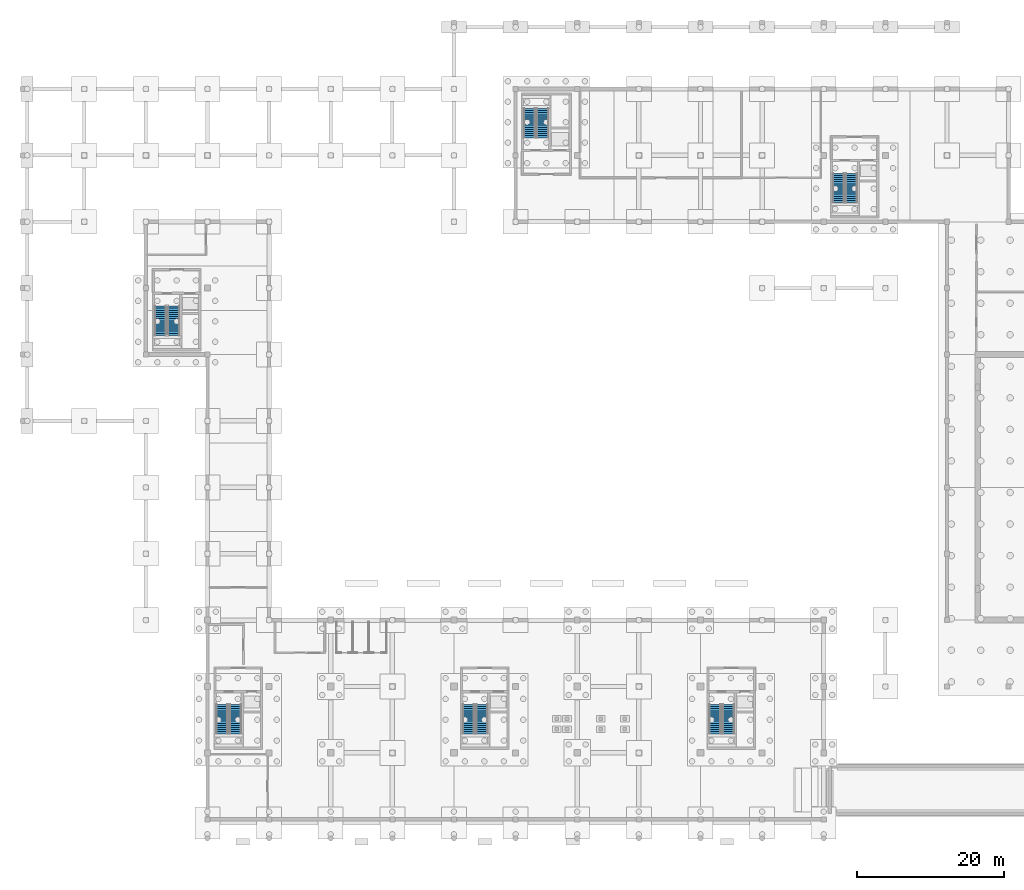
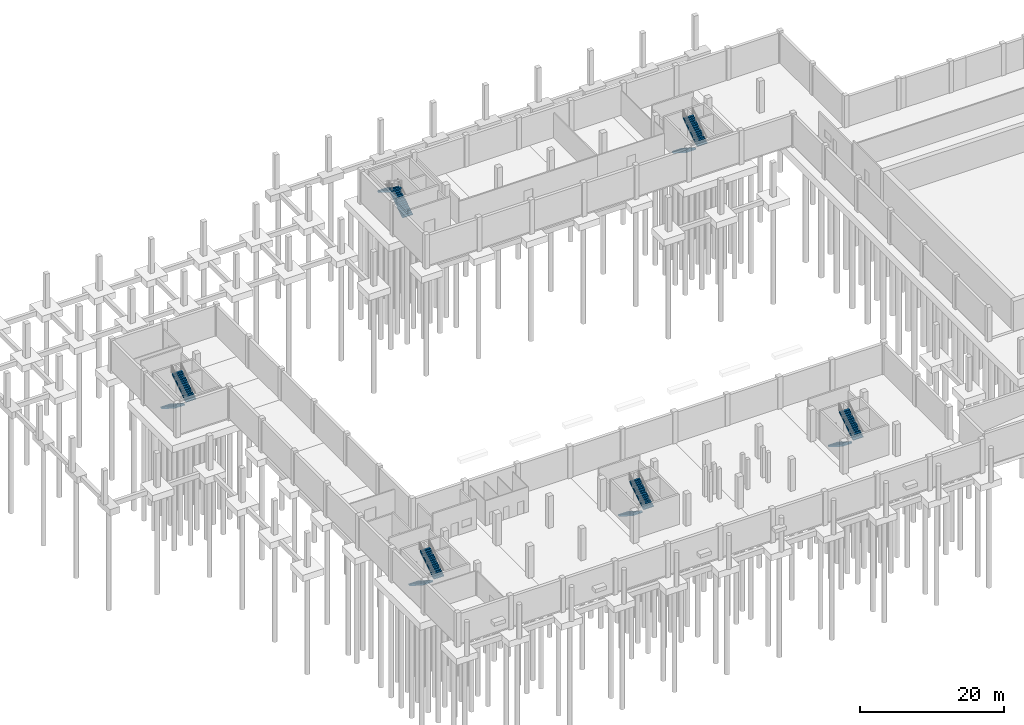
# One storey, part 13 of 18: 12 stair flights, 6 elements without a shape of their own.
"""IFC4 building model written with IfcOpenShell, lengths in metres."""

from ifc_helpers import new_model, si_unit, direction, frame, origin, place, context, subcontext, project, spatial, polyline, outline, extrude, material, type_object, element, aggregate, save


model = new_model("IFC4")

# Units and contexts
model_context = context("Model", 3, precision=1e-05, world=origin(), true_north=direction((0.0, 1.0)))
body_context = subcontext(model_context, "Body", "Model", "MODEL_VIEW")
ifc_project = project(units=[si_unit("LENGTHUNIT", "METRE"), si_unit("AREAUNIT", "SQUARE_METRE"), si_unit("VOLUMEUNIT", "CUBIC_METRE"), si_unit("PLANEANGLEUNIT", "RADIAN"), si_unit("MASSUNIT", "GRAM", prefix="KILO")], contexts=[model_context])

# Site, building, storey
site_placement = place(None, origin())
site = spatial("IfcSite", under=ifc_project, at=site_placement, CompositionType="ELEMENT")
building_placement = place(site_placement, origin())
building = spatial("IfcBuilding", under=site, at=building_placement, Name="Khurvash Pelagic Aquarium", CompositionType="ELEMENT")
storey_placement = place(building_placement, frame((0.0, 0.0, -5.39990234375)))
storey = spatial("IfcBuildingStorey", under=building, at=storey_placement, Name="B1", CompositionType="ELEMENT", Elevation=-5.39990234375)

# Stair, stair flights
ifc_material = material(Name="Concrete C35/45", Category="concrete")
stair_type_1 = type_object("IfcStairType", Name="ST-01", PredefinedType="HALF_TURN_STAIR", material=ifc_material)
stair_1_placement = place(storey_placement, origin())
stair_1 = element("IfcStair", 1, at=stair_1_placement, inside=storey, type_object=stair_type_1, Name="B1 Protected Exit Stair ST-01", PredefinedType="HALF_TURN_STAIR")
stair_flight_type = type_object("IfcStairFlightType", Name="SF-150", PredefinedType="STRAIGHT", material=ifc_material)
stair_flight_1_placement = place(storey_placement, frame((27.199951171875, 18.25, 0.0), z_axis=(0.0, 0.0, 1.0), x_axis=(0.0, -1.0, 0.0)))
stair_flight_1 = element("IfcStairFlight", 2, at=stair_flight_1_placement, type_object=stair_flight_type, Name="ST-01 flight 1", NumberOfRisers=15, NumberOfTreads=14, PredefinedType="STRAIGHT", RiserHeight=0.18, TreadLength=0.285, context=body_context, shape_type="SweptSolid", body=[
    extrude(outline(polyline([(0.0, 0.0), (0.0, 0.179931640625), (0.284912109375, 0.179931640625), (0.284912109375, 0.360107421875), (0.570068359375, 0.360107421875), (0.570068359375, 0.5400390625), (0.85498046875, 0.5400390625), (0.85498046875, 0.719970703125), (1.139892578125, 0.719970703125), (1.139892578125, 0.89990234375), (1.425048828125, 0.89990234375), (1.425048828125, 1.080078125), (1.7099609375, 1.080078125), (1.7099609375, 1.260009765625), (1.9951171875, 1.260009765625), (1.9951171875, 1.43994140625), (2.280029296875, 1.43994140625), (2.280029296875, 1.6201171875), (2.56494140625, 1.6201171875), (2.56494140625, 1.800048828125), (2.85009765625, 1.800048828125), (2.85009765625, 1.97998046875), (3.135009765625, 1.97998046875), (3.135009765625, 2.159912109375), (3.419921875, 2.159912109375), (3.419921875, 2.340087890625), (3.705078125, 2.340087890625), (3.705078125, 2.52001953125), (3.989990234375, 2.52001953125), (3.989990234375, 2.699951171875), (3.989990234375, 2.30712890625), (0.3369140625, 0.0), (0.0, 0.0)])), frame((0.0, 0.800048828125, 0.0), z_axis=(0.0, -1.0, 0.0), x_axis=(1.0, 0.0, 0.0)), (0.0, 0.0, 1.0), 1.60009765625),
])
stair_flight_2_placement = place(storey_placement, frame((29.0, 14.260009765625, 2.699951171875), z_axis=(0.0, 0.0, 1.0), x_axis=(0.0, 1.0, 0.0)))
stair_flight_2 = element("IfcStairFlight", 3, at=stair_flight_2_placement, type_object=stair_flight_type, Name="ST-01 flight 2", NumberOfRisers=15, NumberOfTreads=14, PredefinedType="STRAIGHT", RiserHeight=0.18, TreadLength=0.285, context=body_context, shape_type="SweptSolid", body=[
    extrude(outline(polyline([(0.0, 0.0), (0.0, 0.179931640625), (0.284912109375, 0.179931640625), (0.284912109375, 0.360107421875), (0.570068359375, 0.360107421875), (0.570068359375, 0.5400390625), (0.85498046875, 0.5400390625), (0.85498046875, 0.719970703125), (1.139892578125, 0.719970703125), (1.139892578125, 0.89990234375), (1.425048828125, 0.89990234375), (1.425048828125, 1.080078125), (1.7099609375, 1.080078125), (1.7099609375, 1.260009765625), (1.9951171875, 1.260009765625), (1.9951171875, 1.43994140625), (2.280029296875, 1.43994140625), (2.280029296875, 1.6201171875), (2.56494140625, 1.6201171875), (2.56494140625, 1.800048828125), (2.85009765625, 1.800048828125), (2.85009765625, 1.97998046875), (3.135009765625, 1.97998046875), (3.135009765625, 2.159912109375), (3.419921875, 2.159912109375), (3.419921875, 2.340087890625), (3.705078125, 2.340087890625), (3.705078125, 2.52001953125), (3.989990234375, 2.52001953125), (3.989990234375, 2.699951171875), (3.989990234375, 2.30712890625), (0.3369140625, 0.0), (0.0, 0.0)])), frame((0.0, 0.800048828125, 0.0), z_axis=(0.0, -1.0, 0.0), x_axis=(1.0, 0.0, 0.0)), (0.0, 0.0, 1.0), 1.60009765625),
])
aggregate(stair_1, [stair_flight_1, stair_flight_2])

stair_type_2 = type_object("IfcStairType", Name="ST-02", PredefinedType="HALF_TURN_STAIR", material=ifc_material)
stair_2_placement = place(storey_placement, origin())
stair_2 = element("IfcStair", 4, at=stair_2_placement, inside=storey, type_object=stair_type_2, Name="B1 Protected Exit Stair ST-02", PredefinedType="HALF_TURN_STAIR")
stair_flight_3_placement = place(storey_placement, frame((60.800048828125, 18.25, 0.0), z_axis=(0.0, 0.0, 1.0), x_axis=(0.0, -1.0, 0.0)))
stair_flight_3 = element("IfcStairFlight", 5, at=stair_flight_3_placement, type_object=stair_flight_type, Name="ST-02 flight 1", NumberOfRisers=15, NumberOfTreads=14, PredefinedType="STRAIGHT", RiserHeight=0.18, TreadLength=0.285, context=body_context, shape_type="SweptSolid", body=[
    extrude(outline(polyline([(0.0, 0.0), (0.0, 0.179931640625), (0.284912109375, 0.179931640625), (0.284912109375, 0.360107421875), (0.570068359375, 0.360107421875), (0.570068359375, 0.5400390625), (0.85498046875, 0.5400390625), (0.85498046875, 0.719970703125), (1.139892578125, 0.719970703125), (1.139892578125, 0.89990234375), (1.425048828125, 0.89990234375), (1.425048828125, 1.080078125), (1.7099609375, 1.080078125), (1.7099609375, 1.260009765625), (1.9951171875, 1.260009765625), (1.9951171875, 1.43994140625), (2.280029296875, 1.43994140625), (2.280029296875, 1.6201171875), (2.56494140625, 1.6201171875), (2.56494140625, 1.800048828125), (2.85009765625, 1.800048828125), (2.85009765625, 1.97998046875), (3.135009765625, 1.97998046875), (3.135009765625, 2.159912109375), (3.419921875, 2.159912109375), (3.419921875, 2.340087890625), (3.705078125, 2.340087890625), (3.705078125, 2.52001953125), (3.989990234375, 2.52001953125), (3.989990234375, 2.699951171875), (3.989990234375, 2.30712890625), (0.3369140625, 0.0), (0.0, 0.0)])), frame((0.0, 0.800048828125, 0.0), z_axis=(0.0, -1.0, 0.0), x_axis=(1.0, 0.0, 0.0)), (0.0, 0.0, 1.0), 1.60009765625),
])
stair_flight_4_placement = place(storey_placement, frame((62.60009765625, 14.260009765625, 2.699951171875), z_axis=(0.0, 0.0, 1.0), x_axis=(0.0, 1.0, 0.0)))
stair_flight_4 = element("IfcStairFlight", 6, at=stair_flight_4_placement, type_object=stair_flight_type, Name="ST-02 flight 2", NumberOfRisers=15, NumberOfTreads=14, PredefinedType="STRAIGHT", RiserHeight=0.18, TreadLength=0.285, context=body_context, shape_type="SweptSolid", body=[
    extrude(outline(polyline([(0.0, 0.0), (0.0, 0.179931640625), (0.284912109375, 0.179931640625), (0.284912109375, 0.360107421875), (0.570068359375, 0.360107421875), (0.570068359375, 0.5400390625), (0.85498046875, 0.5400390625), (0.85498046875, 0.719970703125), (1.139892578125, 0.719970703125), (1.139892578125, 0.89990234375), (1.425048828125, 0.89990234375), (1.425048828125, 1.080078125), (1.7099609375, 1.080078125), (1.7099609375, 1.260009765625), (1.9951171875, 1.260009765625), (1.9951171875, 1.43994140625), (2.280029296875, 1.43994140625), (2.280029296875, 1.6201171875), (2.56494140625, 1.6201171875), (2.56494140625, 1.800048828125), (2.85009765625, 1.800048828125), (2.85009765625, 1.97998046875), (3.135009765625, 1.97998046875), (3.135009765625, 2.159912109375), (3.419921875, 2.159912109375), (3.419921875, 2.340087890625), (3.705078125, 2.340087890625), (3.705078125, 2.52001953125), (3.989990234375, 2.52001953125), (3.989990234375, 2.699951171875), (3.989990234375, 2.30712890625), (0.3369140625, 0.0), (0.0, 0.0)])), frame((0.0, 0.800048828125, 0.0), z_axis=(0.0, -1.0, 0.0), x_axis=(1.0, 0.0, 0.0)), (0.0, 0.0, 1.0), 1.60009765625),
])
aggregate(stair_2, [stair_flight_3, stair_flight_4])

stair_type_3 = type_object("IfcStairType", Name="ST-03", PredefinedType="HALF_TURN_STAIR", material=ifc_material)
stair_3_placement = place(storey_placement, origin())
stair_3 = element("IfcStair", 7, at=stair_3_placement, inside=storey, type_object=stair_type_3, Name="B1 Protected Exit Stair ST-03", PredefinedType="HALF_TURN_STAIR")
stair_flight_5_placement = place(storey_placement, frame((94.39990234375, 18.25, 0.0), z_axis=(0.0, 0.0, 1.0), x_axis=(0.0, -1.0, 0.0)))
stair_flight_5 = element("IfcStairFlight", 8, at=stair_flight_5_placement, type_object=stair_flight_type, Name="ST-03 flight 1", NumberOfRisers=15, NumberOfTreads=14, PredefinedType="STRAIGHT", RiserHeight=0.18, TreadLength=0.285, context=body_context, shape_type="SweptSolid", body=[
    extrude(outline(polyline([(0.0, 0.0), (0.0, 0.179931640625), (0.284912109375, 0.179931640625), (0.284912109375, 0.360107421875), (0.570068359375, 0.360107421875), (0.570068359375, 0.5400390625), (0.85498046875, 0.5400390625), (0.85498046875, 0.719970703125), (1.139892578125, 0.719970703125), (1.139892578125, 0.89990234375), (1.425048828125, 0.89990234375), (1.425048828125, 1.080078125), (1.7099609375, 1.080078125), (1.7099609375, 1.260009765625), (1.9951171875, 1.260009765625), (1.9951171875, 1.43994140625), (2.280029296875, 1.43994140625), (2.280029296875, 1.6201171875), (2.56494140625, 1.6201171875), (2.56494140625, 1.800048828125), (2.85009765625, 1.800048828125), (2.85009765625, 1.97998046875), (3.135009765625, 1.97998046875), (3.135009765625, 2.159912109375), (3.419921875, 2.159912109375), (3.419921875, 2.340087890625), (3.705078125, 2.340087890625), (3.705078125, 2.52001953125), (3.989990234375, 2.52001953125), (3.989990234375, 2.699951171875), (3.989990234375, 2.30712890625), (0.3369140625, 0.0), (0.0, 0.0)])), frame((0.0, 0.800048828125, 0.0), z_axis=(0.0, -1.0, 0.0), x_axis=(1.0, 0.0, 0.0)), (0.0, 0.0, 1.0), 1.60009765625),
])
stair_flight_6_placement = place(storey_placement, frame((96.199951171875, 14.260009765625, 2.699951171875), z_axis=(0.0, 0.0, 1.0), x_axis=(0.0, 1.0, 0.0)))
stair_flight_6 = element("IfcStairFlight", 9, at=stair_flight_6_placement, type_object=stair_flight_type, Name="ST-03 flight 2", NumberOfRisers=15, NumberOfTreads=14, PredefinedType="STRAIGHT", RiserHeight=0.18, TreadLength=0.285, context=body_context, shape_type="SweptSolid", body=[
    extrude(outline(polyline([(0.0, 0.0), (0.0, 0.179931640625), (0.284912109375, 0.179931640625), (0.284912109375, 0.360107421875), (0.570068359375, 0.360107421875), (0.570068359375, 0.5400390625), (0.85498046875, 0.5400390625), (0.85498046875, 0.719970703125), (1.139892578125, 0.719970703125), (1.139892578125, 0.89990234375), (1.425048828125, 0.89990234375), (1.425048828125, 1.080078125), (1.7099609375, 1.080078125), (1.7099609375, 1.260009765625), (1.9951171875, 1.260009765625), (1.9951171875, 1.43994140625), (2.280029296875, 1.43994140625), (2.280029296875, 1.6201171875), (2.56494140625, 1.6201171875), (2.56494140625, 1.800048828125), (2.85009765625, 1.800048828125), (2.85009765625, 1.97998046875), (3.135009765625, 1.97998046875), (3.135009765625, 2.159912109375), (3.419921875, 2.159912109375), (3.419921875, 2.340087890625), (3.705078125, 2.340087890625), (3.705078125, 2.52001953125), (3.989990234375, 2.52001953125), (3.989990234375, 2.699951171875), (3.989990234375, 2.30712890625), (0.3369140625, 0.0), (0.0, 0.0)])), frame((0.0, 0.800048828125, 0.0), z_axis=(0.0, -1.0, 0.0), x_axis=(1.0, 0.0, 0.0)), (0.0, 0.0, 1.0), 1.60009765625),
])
aggregate(stair_3, [stair_flight_5, stair_flight_6])

stair_type_4 = type_object("IfcStairType", Name="ST-04", PredefinedType="HALF_TURN_STAIR", material=ifc_material)
stair_4_placement = place(storey_placement, origin())
stair_4 = element("IfcStair", 10, at=stair_4_placement, inside=storey, type_object=stair_type_4, Name="B1 Protected Exit Stair ST-04", PredefinedType="HALF_TURN_STAIR")
stair_flight_7_placement = place(storey_placement, frame((70.89990234375, 95.5, 0.0), z_axis=(0.0, 0.0, 1.0), x_axis=(0.0, 1.0, 0.0)))
stair_flight_7 = element("IfcStairFlight", 11, at=stair_flight_7_placement, type_object=stair_flight_type, Name="ST-04 flight 1", NumberOfRisers=15, NumberOfTreads=14, PredefinedType="STRAIGHT", RiserHeight=0.18, TreadLength=0.285, context=body_context, shape_type="SweptSolid", body=[
    extrude(outline(polyline([(0.0, 0.0), (0.0, 0.179931640625), (0.284912109375, 0.179931640625), (0.284912109375, 0.360107421875), (0.570068359375, 0.360107421875), (0.570068359375, 0.5400390625), (0.85498046875, 0.5400390625), (0.85498046875, 0.719970703125), (1.139892578125, 0.719970703125), (1.139892578125, 0.89990234375), (1.425048828125, 0.89990234375), (1.425048828125, 1.080078125), (1.7099609375, 1.080078125), (1.7099609375, 1.260009765625), (1.9951171875, 1.260009765625), (1.9951171875, 1.43994140625), (2.280029296875, 1.43994140625), (2.280029296875, 1.6201171875), (2.56494140625, 1.6201171875), (2.56494140625, 1.800048828125), (2.85009765625, 1.800048828125), (2.85009765625, 1.97998046875), (3.135009765625, 1.97998046875), (3.135009765625, 2.159912109375), (3.419921875, 2.159912109375), (3.419921875, 2.340087890625), (3.705078125, 2.340087890625), (3.705078125, 2.52001953125), (3.989990234375, 2.52001953125), (3.989990234375, 2.699951171875), (3.989990234375, 2.30712890625), (0.3369140625, 0.0), (0.0, 0.0)])), frame((0.0, 0.800048828125, 0.0), z_axis=(0.0, -1.0, 0.0), x_axis=(1.0, 0.0, 0.0)), (0.0, 0.0, 1.0), 1.60009765625),
])
stair_flight_8_placement = place(storey_placement, frame((69.10009765625, 99.489990234375, 2.699951171875), z_axis=(0.0, 0.0, 1.0), x_axis=(0.0, -1.0, 0.0)))
stair_flight_8 = element("IfcStairFlight", 12, at=stair_flight_8_placement, type_object=stair_flight_type, Name="ST-04 flight 2", NumberOfRisers=15, NumberOfTreads=14, PredefinedType="STRAIGHT", RiserHeight=0.18, TreadLength=0.285, context=body_context, shape_type="SweptSolid", body=[
    extrude(outline(polyline([(0.0, 0.0), (0.0, 0.179931640625), (0.284912109375, 0.179931640625), (0.284912109375, 0.360107421875), (0.570068359375, 0.360107421875), (0.570068359375, 0.5400390625), (0.85498046875, 0.5400390625), (0.85498046875, 0.719970703125), (1.139892578125, 0.719970703125), (1.139892578125, 0.89990234375), (1.425048828125, 0.89990234375), (1.425048828125, 1.080078125), (1.7099609375, 1.080078125), (1.7099609375, 1.260009765625), (1.9951171875, 1.260009765625), (1.9951171875, 1.43994140625), (2.280029296875, 1.43994140625), (2.280029296875, 1.6201171875), (2.56494140625, 1.6201171875), (2.56494140625, 1.800048828125), (2.85009765625, 1.800048828125), (2.85009765625, 1.97998046875), (3.135009765625, 1.97998046875), (3.135009765625, 2.159912109375), (3.419921875, 2.159912109375), (3.419921875, 2.340087890625), (3.705078125, 2.340087890625), (3.705078125, 2.52001953125), (3.989990234375, 2.52001953125), (3.989990234375, 2.699951171875), (3.989990234375, 2.30712890625), (0.3369140625, 0.0), (0.0, 0.0)])), frame((0.0, 0.800048828125, 0.0), z_axis=(0.0, -1.0, 0.0), x_axis=(1.0, 0.0, 0.0)), (0.0, 0.0, 1.0), 1.60009765625),
])
aggregate(stair_4, [stair_flight_7, stair_flight_8])

stair_type_5 = type_object("IfcStairType", Name="ST-05", PredefinedType="HALF_TURN_STAIR", material=ifc_material)
stair_5_placement = place(storey_placement, origin())
stair_5 = element("IfcStair", 13, at=stair_5_placement, inside=storey, type_object=stair_type_5, Name="B1 Protected Exit Stair ST-05", PredefinedType="HALF_TURN_STAIR")
stair_flight_9_placement = place(storey_placement, frame((18.800048828125, 72.550048828125, 0.0), z_axis=(0.0, 0.0, 1.0), x_axis=(0.0, -1.0, 0.0)))
stair_flight_9 = element("IfcStairFlight", 14, at=stair_flight_9_placement, type_object=stair_flight_type, Name="ST-05 flight 1", NumberOfRisers=15, NumberOfTreads=14, PredefinedType="STRAIGHT", RiserHeight=0.18, TreadLength=0.285, context=body_context, shape_type="SweptSolid", body=[
    extrude(outline(polyline([(0.0, 0.0), (0.0, 0.179931640625), (0.284912109375, 0.179931640625), (0.284912109375, 0.360107421875), (0.570068359375, 0.360107421875), (0.570068359375, 0.5400390625), (0.85498046875, 0.5400390625), (0.85498046875, 0.719970703125), (1.139892578125, 0.719970703125), (1.139892578125, 0.89990234375), (1.425048828125, 0.89990234375), (1.425048828125, 1.080078125), (1.7099609375, 1.080078125), (1.7099609375, 1.260009765625), (1.9951171875, 1.260009765625), (1.9951171875, 1.43994140625), (2.280029296875, 1.43994140625), (2.280029296875, 1.6201171875), (2.56494140625, 1.6201171875), (2.56494140625, 1.800048828125), (2.85009765625, 1.800048828125), (2.85009765625, 1.97998046875), (3.135009765625, 1.97998046875), (3.135009765625, 2.159912109375), (3.419921875, 2.159912109375), (3.419921875, 2.340087890625), (3.705078125, 2.340087890625), (3.705078125, 2.52001953125), (3.989990234375, 2.52001953125), (3.989990234375, 2.699951171875), (3.989990234375, 2.30712890625), (0.3369140625, 0.0), (0.0, 0.0)])), frame((0.0, 0.800048828125, 0.0), z_axis=(0.0, -1.0, 0.0), x_axis=(1.0, 0.0, 0.0)), (0.0, 0.0, 1.0), 1.60009765625),
])
stair_flight_10_placement = place(storey_placement, frame((20.60009765625, 68.56005859375, 2.699951171875), z_axis=(0.0, 0.0, 1.0), x_axis=(0.0, 1.0, 0.0)))
stair_flight_10 = element("IfcStairFlight", 15, at=stair_flight_10_placement, type_object=stair_flight_type, Name="ST-05 flight 2", NumberOfRisers=15, NumberOfTreads=14, PredefinedType="STRAIGHT", RiserHeight=0.18, TreadLength=0.285, context=body_context, shape_type="SweptSolid", body=[
    extrude(outline(polyline([(0.0, 0.0), (0.0, 0.179931640625), (0.284912109375, 0.179931640625), (0.284912109375, 0.360107421875), (0.570068359375, 0.360107421875), (0.570068359375, 0.5400390625), (0.85498046875, 0.5400390625), (0.85498046875, 0.719970703125), (1.139892578125, 0.719970703125), (1.139892578125, 0.89990234375), (1.425048828125, 0.89990234375), (1.425048828125, 1.080078125), (1.7099609375, 1.080078125), (1.7099609375, 1.260009765625), (1.9951171875, 1.260009765625), (1.9951171875, 1.43994140625), (2.280029296875, 1.43994140625), (2.280029296875, 1.6201171875), (2.56494140625, 1.6201171875), (2.56494140625, 1.800048828125), (2.85009765625, 1.800048828125), (2.85009765625, 1.97998046875), (3.135009765625, 1.97998046875), (3.135009765625, 2.159912109375), (3.419921875, 2.159912109375), (3.419921875, 2.340087890625), (3.705078125, 2.340087890625), (3.705078125, 2.52001953125), (3.989990234375, 2.52001953125), (3.989990234375, 2.699951171875), (3.989990234375, 2.30712890625), (0.3369140625, 0.0), (0.0, 0.0)])), frame((0.0, 0.800048828125, 0.0), z_axis=(0.0, -1.0, 0.0), x_axis=(1.0, 0.0, 0.0)), (0.0, 0.0, 1.0), 1.60009765625),
])
aggregate(stair_5, [stair_flight_9, stair_flight_10])

stair_type_6 = type_object("IfcStairType", Name="ST-06", PredefinedType="HALF_TURN_STAIR", material=ifc_material)
stair_6_placement = place(storey_placement, origin())
stair_6 = element("IfcStair", 16, at=stair_6_placement, inside=storey, type_object=stair_type_6, Name="B1 Protected Exit Stair ST-06", PredefinedType="HALF_TURN_STAIR")
stair_flight_11_placement = place(storey_placement, frame((111.199951171875, 90.64990234375, 0.0), z_axis=(0.0, 0.0, 1.0), x_axis=(0.0, -1.0, 0.0)))
stair_flight_11 = element("IfcStairFlight", 17, at=stair_flight_11_placement, type_object=stair_flight_type, Name="ST-06 flight 1", NumberOfRisers=15, NumberOfTreads=14, PredefinedType="STRAIGHT", RiserHeight=0.18, TreadLength=0.285, context=body_context, shape_type="SweptSolid", body=[
    extrude(outline(polyline([(0.0, 0.0), (0.0, 0.179931640625), (0.284912109375, 0.179931640625), (0.284912109375, 0.360107421875), (0.570068359375, 0.360107421875), (0.570068359375, 0.5400390625), (0.85498046875, 0.5400390625), (0.85498046875, 0.719970703125), (1.139892578125, 0.719970703125), (1.139892578125, 0.89990234375), (1.425048828125, 0.89990234375), (1.425048828125, 1.080078125), (1.7099609375, 1.080078125), (1.7099609375, 1.260009765625), (1.9951171875, 1.260009765625), (1.9951171875, 1.43994140625), (2.280029296875, 1.43994140625), (2.280029296875, 1.6201171875), (2.56494140625, 1.6201171875), (2.56494140625, 1.800048828125), (2.85009765625, 1.800048828125), (2.85009765625, 1.97998046875), (3.135009765625, 1.97998046875), (3.135009765625, 2.159912109375), (3.419921875, 2.159912109375), (3.419921875, 2.340087890625), (3.705078125, 2.340087890625), (3.705078125, 2.52001953125), (3.989990234375, 2.52001953125), (3.989990234375, 2.699951171875), (3.989990234375, 2.30712890625), (0.3369140625, 0.0), (0.0, 0.0)])), frame((0.0, 0.800048828125, 0.0), z_axis=(0.0, -1.0, 0.0), x_axis=(1.0, 0.0, 0.0)), (0.0, 0.0, 1.0), 1.60009765625),
])
stair_flight_12_placement = place(storey_placement, frame((113.0, 86.659912109375, 2.699951171875), z_axis=(0.0, 0.0, 1.0), x_axis=(0.0, 1.0, 0.0)))
stair_flight_12 = element("IfcStairFlight", 18, at=stair_flight_12_placement, type_object=stair_flight_type, Name="ST-06 flight 2", NumberOfRisers=15, NumberOfTreads=14, PredefinedType="STRAIGHT", RiserHeight=0.18, TreadLength=0.285, context=body_context, shape_type="SweptSolid", body=[
    extrude(outline(polyline([(0.0, 0.0), (0.0, 0.179931640625), (0.284912109375, 0.179931640625), (0.284912109375, 0.360107421875), (0.570068359375, 0.360107421875), (0.570068359375, 0.5400390625), (0.85498046875, 0.5400390625), (0.85498046875, 0.719970703125), (1.139892578125, 0.719970703125), (1.139892578125, 0.89990234375), (1.425048828125, 0.89990234375), (1.425048828125, 1.080078125), (1.7099609375, 1.080078125), (1.7099609375, 1.260009765625), (1.9951171875, 1.260009765625), (1.9951171875, 1.43994140625), (2.280029296875, 1.43994140625), (2.280029296875, 1.6201171875), (2.56494140625, 1.6201171875), (2.56494140625, 1.800048828125), (2.85009765625, 1.800048828125), (2.85009765625, 1.97998046875), (3.135009765625, 1.97998046875), (3.135009765625, 2.159912109375), (3.419921875, 2.159912109375), (3.419921875, 2.340087890625), (3.705078125, 2.340087890625), (3.705078125, 2.52001953125), (3.989990234375, 2.52001953125), (3.989990234375, 2.699951171875), (3.989990234375, 2.30712890625), (0.3369140625, 0.0), (0.0, 0.0)])), frame((0.0, 0.800048828125, 0.0), z_axis=(0.0, -1.0, 0.0), x_axis=(1.0, 0.0, 0.0)), (0.0, 0.0, 1.0), 1.60009765625),
])
aggregate(stair_6, [stair_flight_11, stair_flight_12])

save(model, "model.ifc")
